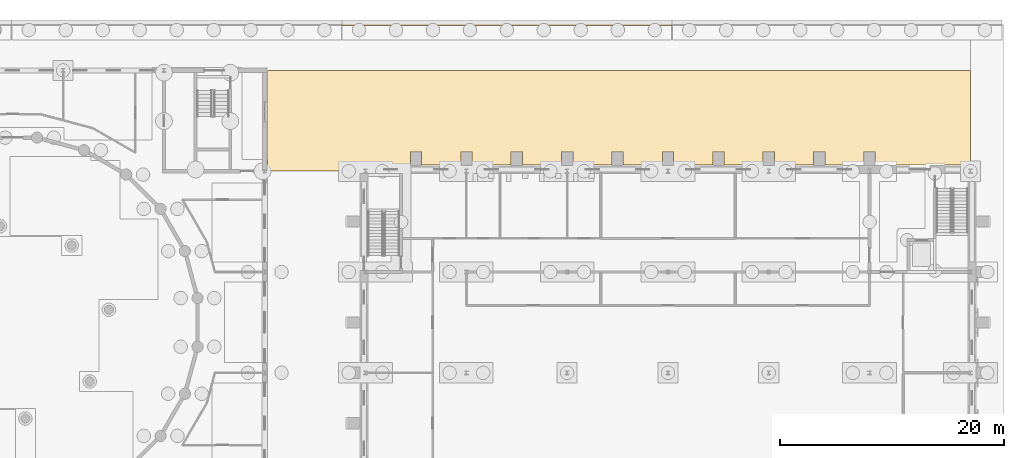
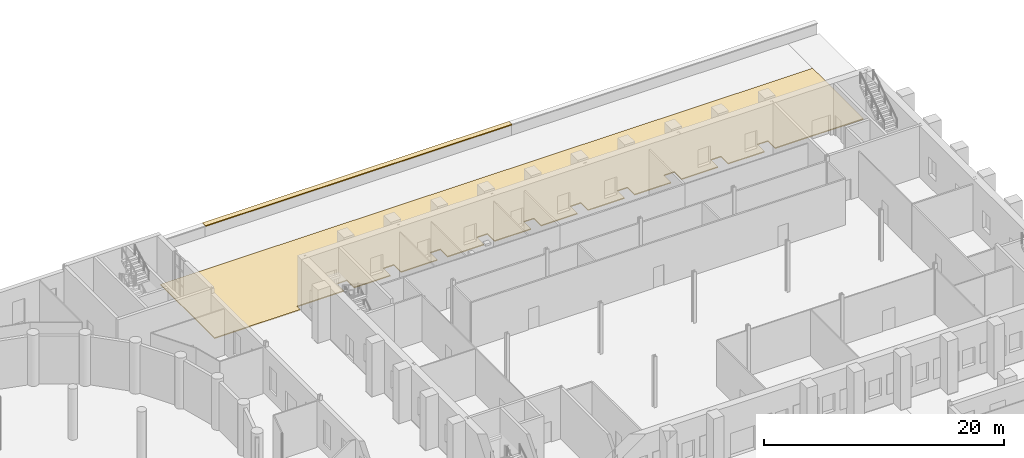
# One storey, part 163 of 168: 2 coverings.
"""IFC4 building model written with IfcOpenShell, lengths in metres."""

from ifc_helpers import new_model, si_unit, direction, frame, origin, place, context, subcontext, project, spatial, polyline, outline, extrude, material, layer, layer_set, type_object, element, save


model = new_model("IFC4")

# Units and contexts
model_context = context("Model", 3, precision=1e-05, world=origin(), true_north=direction((0.0, 1.0)))
body_context = subcontext(model_context, "Body", "Model", "MODEL_VIEW")
ifc_project = project(units=[si_unit("LENGTHUNIT", "METRE"), si_unit("AREAUNIT", "SQUARE_METRE"), si_unit("VOLUMEUNIT", "CUBIC_METRE"), si_unit("PLANEANGLEUNIT", "RADIAN"), si_unit("MASSUNIT", "GRAM", prefix="KILO")], contexts=[model_context])

# Site, building, storey
site_placement = place(None, origin())
site = spatial("IfcSite", under=ifc_project, at=site_placement, CompositionType="ELEMENT")
building_placement = place(site_placement, origin())
building = spatial("IfcBuilding", under=site, at=building_placement, Name="Golden Quay Civic Hall", CompositionType="ELEMENT")
storey_placement = place(building_placement, origin())
storey = spatial("IfcBuildingStorey", under=building, at=storey_placement, Name="L00", CompositionType="ELEMENT", Elevation=0.0)

# Coverings
ifc_material_1 = material(Name="Concrete block paving", Category="concrete")
ifc_layer_1 = layer(ifc_material_1, 0.10009765625)
ifc_layer_set_1 = layer_set([ifc_layer_1], Name="Concrete block paving 100")
covering_type_1 = type_object("IfcCoveringType", Name="Concrete block paving 100", PredefinedType="FLOORING", material=ifc_layer_set_1)
covering_1_placement = place(storey_placement, frame((0.0, 0.0, -0.10009765625)))
element("IfcCovering", 1, at=covering_1_placement, inside=storey, type_object=covering_type_1, Name="Rear service yard paving", PredefinedType="FLOORING", context=body_context, shape_type="SweptSolid", body=[
    extrude(outline(polyline([(162.5, 99.550048828125), (162.5, 100.75), (161.5, 100.75), (161.5, 99.550048828125), (158.0, 99.550048828125), (158.0, 100.75), (157.0, 100.75), (157.0, 99.550048828125), (153.5, 99.550048828125), (153.5, 100.75), (152.5, 100.75), (152.5, 99.550048828125), (149.0, 99.550048828125), (149.0, 100.75), (148.0, 100.75), (148.0, 99.550048828125), (144.5, 99.550048828125), (144.5, 100.75), (143.5, 100.75), (143.5, 99.550048828125), (140.0, 99.550048828125), (140.0, 100.75), (139.0, 100.75), (139.0, 99.550048828125), (135.5, 99.550048828125), (135.5, 100.75), (134.5, 100.75), (134.5, 99.550048828125), (131.0, 99.550048828125), (131.0, 100.75), (130.0, 100.75), (130.0, 99.550048828125), (126.5, 99.550048828125), (126.5, 100.75), (125.5, 100.75), (125.5, 99.550048828125), (122.0, 99.550048828125), (122.0, 100.75), (121.0, 100.75), (121.0, 99.550048828125), (116.5, 99.550048828125), (116.5, 99.0), (108.25, 99.0), (108.25, 103.39990234375), (108.25, 105.199951171875), (108.25, 107.800048828125), (108.25, 108.0), (171.0, 108.0), (171.0, 99.550048828125), (162.5, 99.550048828125)])), origin(), (0.0, 0.0, 1.0), 0.10009765625),
])
ifc_material_2 = material(Name="Granite", Category="masonry")
ifc_layer_2 = layer(ifc_material_2, 0.10009765625)
ifc_layer_set_2 = layer_set([ifc_layer_2], Name="Granite wall coping 500 x 100")
covering_type_2 = type_object("IfcCoveringType", Name="Granite wall coping 500 x 100", PredefinedType="CLADDING", material=ifc_layer_set_2)
covering_2_placement = place(storey_placement, frame((0.0, 0.0, 1.10009765625)))
element("IfcCovering", 2, at=covering_2_placement, inside=storey, type_object=covering_type_2, Name="Boundary wall coping run N5", PredefinedType="CLADDING", context=body_context, shape_type="SweptSolid", body=[
    extrude(outline(polyline([(114.8798828125, 112.0), (144.360107421875, 112.0), (144.360107421875, 112.5), (114.8798828125, 112.5), (114.8798828125, 112.0)])), origin(), (0.0, 0.0, 1.0), 0.099853515625),
])

save(model, "model.ifc")
